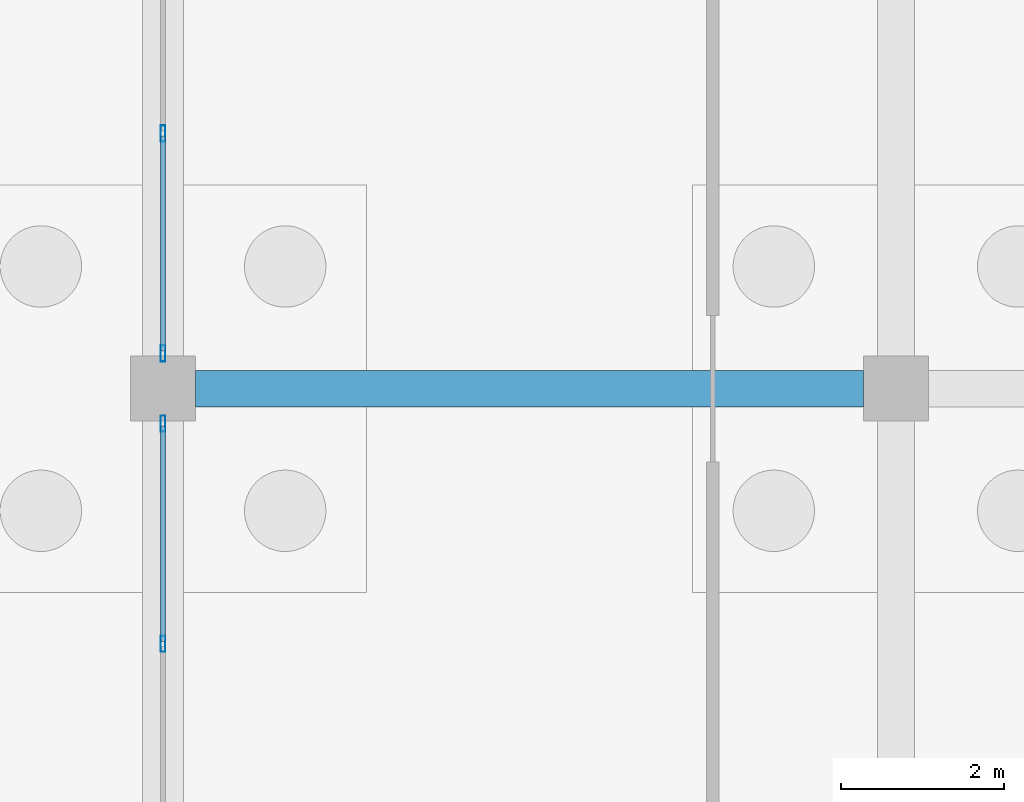
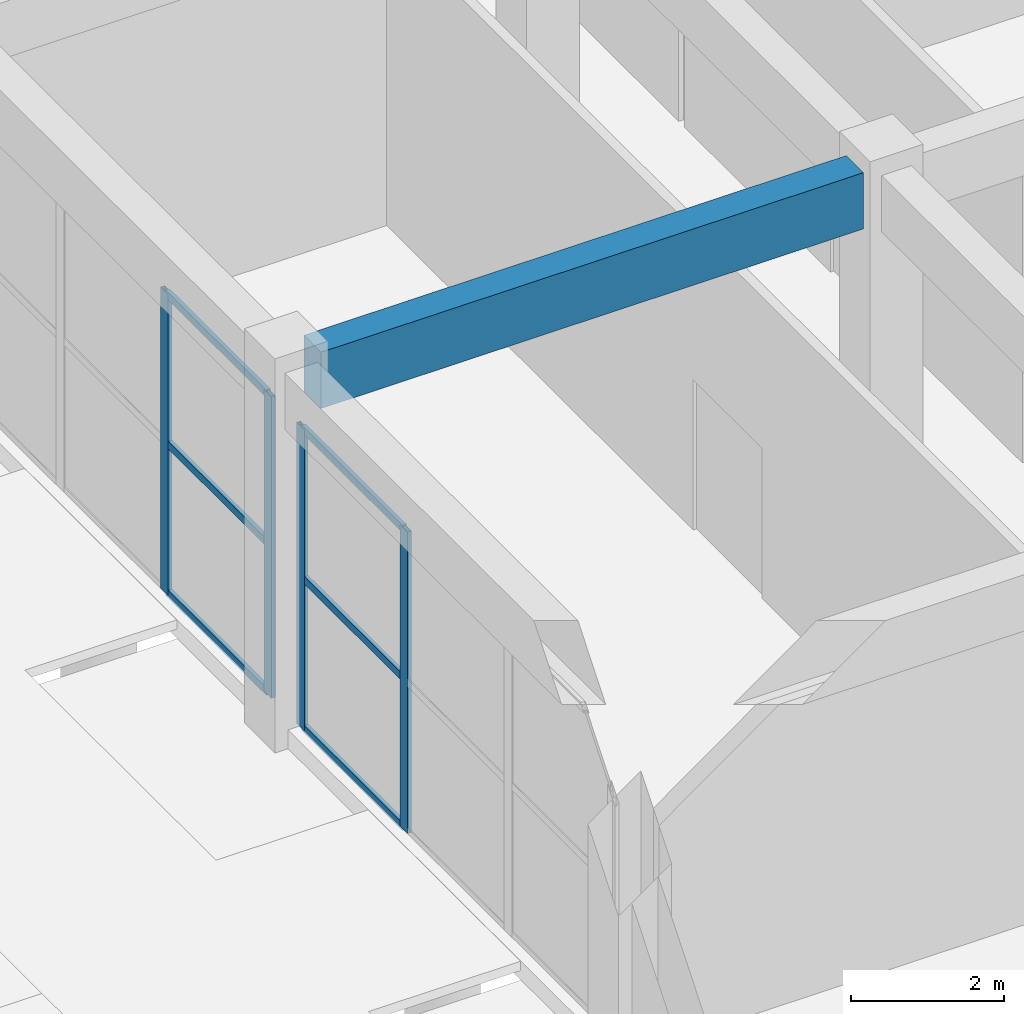
# One storey, part 60 of 198: 10 members, 1 beam, 2 elements without a shape of their own.
"""IFC4 building model written with IfcOpenShell, lengths in metres."""

import ifcopenshell
import ifcopenshell.guid

model = None  # the IFC model being written
_history = None  # IfcOwnerHistory: only IFC2X3 demands one
_inside = {}  # id of a spatial element -> (the spatial element, [elements in it])
_under = {}  # id of a project, library or spatial element -> (it, [spatial elements below it])
_declared = {}  # id of a project -> (the project, [libraries it declares])
_typed = {}  # id of a type object -> (the type object, [elements of that type])
_made_of = {}  # id of a material, layer set ... -> (it, [elements and type objects made of it])


def new_model(schema):
    """Start an empty IFC model of exactly this schema.

    Asked for "IFC4X3", IfcOpenShell would pick the latest addendum, in which some entities
    have other attributes; the version numbers below select the first issue.
    IFC2X3 requires an IfcOwnerHistory on every rooted entity: one is made here for all.
    """
    global model, _history
    if schema == "IFC4X3":
        model = ifcopenshell.file(schema_version=(4, 3, 0, 0))
    else:
        model = ifcopenshell.file(schema=schema)
    _inside.clear()
    _under.clear()
    _declared.clear()
    _typed.clear()
    _made_of.clear()
    _history = None
    if model.schema == "IFC2X3":
        org = make("IfcOrganization", Name="unknown")
        user = make(
            "IfcPersonAndOrganization",
            ThePerson=make("IfcPerson", FamilyName="unknown"),
            TheOrganization=org,
        )
        app = make(
            "IfcApplication",
            ApplicationDeveloper=org,
            Version="unknown",
            ApplicationFullName="unknown",
            ApplicationIdentifier="unknown",
        )
        _history = make(
            "IfcOwnerHistory",
            OwningUser=user,
            OwningApplication=app,
            ChangeAction="ADDED",
            CreationDate=0,
        )
    return model


def make(cls, **values):
    """One entity of the class cls with the attributes given. An attribute that is None is left unset."""
    return model.create_entity(
        cls, **{name: value for name, value in values.items() if value is not None}
    )


def rooted(cls, **values):
    """An entity with a GlobalId (a new one), such as an element, a storey or a relation."""
    return make(cls, GlobalId=ifcopenshell.guid.new(), OwnerHistory=_history, **values)


def si_unit(unit_type, name, prefix=None):
    """IfcSIUnit, for example si_unit("LENGTHUNIT", "METRE", prefix="MILLI")."""
    return make("IfcSIUnit", UnitType=unit_type, Prefix=prefix, Name=name)


def assignment(units):
    """IfcUnitAssignment: the units of a project."""
    return None if units is None else make("IfcUnitAssignment", Units=units)


def point(xyz):
    """IfcCartesianPoint."""
    return None if xyz is None else make("IfcCartesianPoint", Coordinates=xyz)


def direction(xyz):
    """IfcDirection."""
    return None if xyz is None else make("IfcDirection", DirectionRatios=xyz)


def frame(location, z_axis=None, x_axis=None):
    """IfcAxis2Placement3D, a coordinate frame: its origin and axes. An axis left out is left unset."""
    return make(
        "IfcAxis2Placement3D",
        Location=point(location),
        Axis=direction(z_axis),
        RefDirection=direction(x_axis),
    )


def frame_2d(location, x_axis=None):
    """IfcAxis2Placement2D, a coordinate frame in the plane: its origin and x axis."""
    return make(
        "IfcAxis2Placement2D", Location=point(location), RefDirection=direction(x_axis)
    )


def origin():
    """The frame at (0, 0, 0) with its axes left unset."""
    return frame((0.0, 0.0, 0.0))


def origin_2d():
    """The frame at (0, 0) in the plane with its x axis left unset."""
    return frame_2d((0.0, 0.0))


def place(relative_to, where):
    """IfcLocalPlacement: puts the frame where relative to a parent placement (None: the world)."""
    return make(
        "IfcLocalPlacement", PlacementRelTo=relative_to, RelativePlacement=where
    )


def context(
    kind, dimensions, precision=None, world=None, true_north=None, identifier=None
):
    """IfcGeometricRepresentationContext, for example the 3D "Model" context."""
    return make(
        "IfcGeometricRepresentationContext",
        ContextIdentifier=identifier,
        ContextType=kind,
        CoordinateSpaceDimension=dimensions,
        Precision=precision,
        WorldCoordinateSystem=world,
        TrueNorth=true_north,
    )


def subcontext(parent, identifier, kind, view, scale=None):
    """IfcGeometricRepresentationSubContext, for example "Body" below "Model"."""
    return make(
        "IfcGeometricRepresentationSubContext",
        ContextIdentifier=identifier,
        ContextType=kind,
        ParentContext=parent,
        TargetScale=scale,
        TargetView=view,
    )


def project(units=None, contexts=None):
    """IfcProject with its units and contexts."""
    return rooted(
        "IfcProject",
        Name="project",
        RepresentationContexts=contexts,
        UnitsInContext=assignment(units),
    )


def spatial(cls, under=None, at=None, **own):
    """A site, building, storey or space (cls), placed at a placement, below another one or the project."""
    s = rooted(cls, ObjectPlacement=at, **own)
    if under is not None:
        _under.setdefault(under.id(), (under, []))[1].append(s)
    return s


def profile(cls, at=None, kind="AREA", **sizes):
    """A parametric profile (cls). Its sizes go by their IFC names, for example OverallWidth=200.0."""
    return make(cls, ProfileType=kind, Position=at, **sizes)


def rectangle(**sizes):
    """IfcRectangleProfileDef."""
    return profile("IfcRectangleProfileDef", **sizes)


def hollow_rectangle(**sizes):
    """IfcRectangleHollowProfileDef."""
    return profile("IfcRectangleHollowProfileDef", **sizes)


def extrude(swept, where, along, depth):
    """IfcExtrudedAreaSolid: the profile swept, set in the frame where, extruded along a direction by depth."""
    return make(
        "IfcExtrudedAreaSolid",
        SweptArea=swept,
        Position=where,
        ExtrudedDirection=direction(along),
        Depth=depth,
    )


def shape(context_of_items, identifier, shape_type, items):
    """IfcShapeRepresentation: the items that make up one representation, for example the "Body"."""
    return make(
        "IfcShapeRepresentation",
        ContextOfItems=context_of_items,
        RepresentationIdentifier=identifier,
        RepresentationType=shape_type,
        Items=items,
    )


def material(Name=None, Category=None):
    """IfcMaterial."""
    return make("IfcMaterial", Name=Name, Category=Category)


def layer(
    of_material, thickness, ventilated=None, Name=None, Category=None, Priority=None
):
    """IfcMaterialLayer: one layer of a wall or slab, of a material (None: an air gap)."""
    return make(
        "IfcMaterialLayer",
        Material=of_material,
        LayerThickness=thickness,
        IsVentilated=ventilated,
        Name=Name,
        Category=Category,
        Priority=Priority,
    )


def layer_set(layers, Name=None):
    """IfcMaterialLayerSet."""
    return make("IfcMaterialLayerSet", MaterialLayers=layers, LayerSetName=Name)


def material_profile(
    of_material, cross_section, Name=None, Category=None, Priority=None
):
    """IfcMaterialProfile: a cross section and its material."""
    return make(
        "IfcMaterialProfile",
        Name=Name,
        Material=of_material,
        Profile=cross_section,
        Priority=Priority,
        Category=Category,
    )


def profile_set(profiles, Name=None, composite=None):
    """IfcMaterialProfileSet."""
    return make(
        "IfcMaterialProfileSet",
        Name=Name,
        MaterialProfiles=profiles,
        CompositeProfile=composite,
    )


def made_of(thing, what):
    """Note that an element or type object is made of a material, layer set ...; save() writes the relation."""
    if what is not None:
        _made_of.setdefault(what.id(), (what, []))[1].append(thing)
    return thing


def type_object(cls, material=None, **own):
    """A type object (cls), such as IfcWallType, which elements share."""
    return made_of(rooted(cls, **own), material)


def element(
    cls,
    number,
    at=None,
    inside=None,
    cuts=None,
    type_object=None,
    material=None,
    context=None,
    identifier="Body",
    shape_type=None,
    held_by="IfcProductDefinitionShape",
    body=None,
    shapes=None,
    **own,
):
    """One element of the class cls, such as IfcWall. Its Tag is "e" and its number.

    at: its placement. inside: the storey or other place that contains it. cuts: it is an
    opening in that element (IfcRelVoidsElement). A single representation is given by context,
    identifier, shape_type and body (its items); several are given by shapes. held_by: the class
    of the entity that holds the representations. save() writes the other relations.
    """
    e = rooted(cls, Tag="e%d" % number, ObjectPlacement=at, **own)
    if body is not None:
        shapes = [shape(context, identifier, shape_type, body)]
    if shapes is not None:
        e.Representation = make(held_by, Representations=shapes)
    if inside is not None:
        _inside.setdefault(inside.id(), (inside, []))[1].append(e)
    if cuts is not None:
        rooted(
            "IfcRelVoidsElement", RelatingBuildingElement=cuts, RelatedOpeningElement=e
        )
    if type_object is not None:
        _typed.setdefault(type_object.id(), (type_object, []))[1].append(e)
    return made_of(e, material)


def aggregate(whole, parts):
    """IfcRelAggregates: a whole, such as a stair, and the parts it consists of."""
    return rooted("IfcRelAggregates", RelatingObject=whole, RelatedObjects=parts)


def save(model, path):
    """Write the relations noted so far, then the file.

    IfcRelAggregates (storeys below a building ...), IfcRelContainedInSpatialStructure (elements
    in a storey), IfcRelDefinesByType, IfcRelAssociatesMaterial and IfcRelDeclares: one each for
    every whole, place, type object, material and project.
    """
    for whole, parts in _under.values():
        aggregate(whole, parts)
    for where, things in _inside.values():
        rooted(
            "IfcRelContainedInSpatialStructure",
            RelatedElements=things,
            RelatingStructure=where,
        )
    for kind, things in _typed.values():
        rooted("IfcRelDefinesByType", RelatedObjects=things, RelatingType=kind)
    for what, things in _made_of.values():
        rooted("IfcRelAssociatesMaterial", RelatedObjects=things, RelatingMaterial=what)
    for by, libraries in _declared.values():
        rooted("IfcRelDeclares", RelatingContext=by, RelatedDefinitions=libraries)
    model.write(path)


model = new_model("IFC4")

# Units and contexts
model_context = context("Model", 3, precision=1e-05, world=origin(), true_north=direction((0.0, 1.0)))
body_context = subcontext(model_context, "Body", "Model", "MODEL_VIEW")
ifc_project = project(units=[si_unit("LENGTHUNIT", "METRE"), si_unit("AREAUNIT", "SQUARE_METRE"), si_unit("VOLUMEUNIT", "CUBIC_METRE"), si_unit("PLANEANGLEUNIT", "RADIAN"), si_unit("MASSUNIT", "GRAM", prefix="KILO")], contexts=[model_context])

# Site, building, storey
site_placement = place(None, origin())
site = spatial("IfcSite", under=ifc_project, at=site_placement, CompositionType="ELEMENT")
building_placement = place(site_placement, origin())
building = spatial("IfcBuilding", under=site, at=building_placement, Name="Opaline Strait Convention Centre", CompositionType="ELEMENT")
storey_placement = place(building_placement, origin())
storey = spatial("IfcBuildingStorey", under=building, at=storey_placement, Name="L00", CompositionType="ELEMENT", Elevation=0.0)

# Curtain wall, members
ifc_material_1 = material(Name="Aluminium framed double glazing", Category="aluminium")
ifc_layer = layer(ifc_material_1, 0.199951171875)
ifc_layer_set = layer_set([ifc_layer], Name="Aluminium framed double glazing")
curtain_wall_type = type_object("IfcCurtainWallType", Name="Curtain wall 3000 module unitised", PredefinedType="NOTDEFINED", material=ifc_layer_set)
curtain_wall_1_placement = place(storey_placement, origin())
curtain_wall_1 = element("IfcCurtainWall", 1, at=curtain_wall_1_placement, inside=storey, type_object=curtain_wall_type, Name="Curtain wall W L00 32/R", PredefinedType="NOTDEFINED")
ifc_material_2 = material(Name="Aluminium alloy 6063", Category="aluminium")
ifc_material_profile_1 = material_profile(ifc_material_2, hollow_rectangle(XDim=0.06005859375, YDim=0.199951171875, WallThickness=0.00390625, at=origin_2d()), Name="MULLION 60x200x4")
ifc_profile_set_1 = profile_set([ifc_material_profile_1], Name="Aluminium alloy 6063")
member_type_1 = type_object("IfcMemberType", Name="Curtain wall mullion 60 x 200", PredefinedType="MULLION", material=ifc_profile_set_1)
member_1_placement = place(storey_placement, frame((279.0, 140.86669921875, 0.0), z_axis=(0.0, 0.0, 1.0), x_axis=(-1.0, 0.0, 0.0)))
member_1 = element("IfcMember", 2, at=member_1_placement, type_object=member_type_1, Name="MCWR1 mullion 3", PredefinedType="MULLION", context=body_context, shape_type="SweptSolid", body=[
    extrude(hollow_rectangle(XDim=0.06005859375, YDim=0.199951171875, WallThickness=0.00390625, at=origin_2d()), origin(), (0.0, 0.0, 1.0), 4.820068359375),
])
member_2_placement = place(storey_placement, frame((279.0, 143.570068359375, 0.0), z_axis=(0.0, 0.0, 1.0), x_axis=(-1.0, 0.0, 0.0)))
member_2 = element("IfcMember", 3, at=member_2_placement, type_object=member_type_1, Name="MCWR1 mullion 4", PredefinedType="MULLION", context=body_context, shape_type="SweptSolid", body=[
    extrude(hollow_rectangle(XDim=0.06005859375, YDim=0.199951171875, WallThickness=0.00390625, at=origin_2d()), origin(), (0.0, 0.0, 1.0), 4.820068359375),
])

curtain_wall_2_placement = place(storey_placement, origin())
curtain_wall_2 = element("IfcCurtainWall", 4, at=curtain_wall_2_placement, inside=storey, type_object=curtain_wall_type, Name="Curtain wall W L00 32/S", PredefinedType="NOTDEFINED")
member_3_placement = place(storey_placement, frame((279.0, 144.429931640625, 0.0), z_axis=(0.0, 0.0, 1.0), x_axis=(-1.0, 0.0, 0.0)))
member_3 = element("IfcMember", 5, at=member_3_placement, type_object=member_type_1, Name="MCWR1 mullion 1", PredefinedType="MULLION", context=body_context, shape_type="SweptSolid", body=[
    extrude(hollow_rectangle(XDim=0.06005859375, YDim=0.199951171875, WallThickness=0.00390625, at=origin_2d()), origin(), (0.0, 0.0, 1.0), 4.820068359375),
])
member_4_placement = place(storey_placement, frame((279.0, 147.13330078125, 0.0), z_axis=(0.0, 0.0, 1.0), x_axis=(-1.0, 0.0, 0.0)))
member_4 = element("IfcMember", 6, at=member_4_placement, type_object=member_type_1, Name="MCWR1 mullion 2", PredefinedType="MULLION", context=body_context, shape_type="SweptSolid", body=[
    extrude(hollow_rectangle(XDim=0.06005859375, YDim=0.199951171875, WallThickness=0.00390625, at=origin_2d()), origin(), (0.0, 0.0, 1.0), 4.820068359375),
])

# Member
ifc_material_profile_2 = material_profile(ifc_material_2, hollow_rectangle(XDim=0.06005859375, YDim=0.1201171875, WallThickness=0.0029296875, at=origin_2d()), Name="TRANSOM 60x120x3")
ifc_profile_set_2 = profile_set([ifc_material_profile_2], Name="Aluminium alloy 6063")
member_type_2 = type_object("IfcMemberType", Name="Curtain wall transom 60 x 120", PredefinedType="USERDEFINED", material=ifc_profile_set_2)
member_5_placement = place(storey_placement, frame((279.0, 140.896728515625, 0.030029296875), z_axis=(0.0, 1.0, 0.0), x_axis=(-1.0, 0.0, 0.0)))
member_5 = element("IfcMember", 7, at=member_5_placement, type_object=member_type_2, Name="MCWR1 transom 3.1", ObjectType="TRANSOM", PredefinedType="USERDEFINED", context=body_context, shape_type="SweptSolid", body=[
    extrude(hollow_rectangle(XDim=0.06005859375, YDim=0.1201171875, WallThickness=0.0029296875, at=origin_2d()), origin(), (0.0, 0.0, 1.0), 2.643310546875),
])

member_6_placement = place(storey_placement, frame((279.0, 140.896728515625, 2.409912109375), z_axis=(0.0, 1.0, 0.0), x_axis=(-1.0, 0.0, 0.0)))
member_6 = element("IfcMember", 8, at=member_6_placement, type_object=member_type_2, Name="MCWR1 transom 3.2", ObjectType="TRANSOM", PredefinedType="USERDEFINED", context=body_context, shape_type="SweptSolid", body=[
    extrude(hollow_rectangle(XDim=0.06005859375, YDim=0.1201171875, WallThickness=0.0029296875, at=origin_2d()), origin(), (0.0, 0.0, 1.0), 2.643310546875),
])

member_7_placement = place(storey_placement, frame((279.0, 140.896728515625, 4.7900390625), z_axis=(0.0, 1.0, 0.0), x_axis=(-1.0, 0.0, 0.0)))
member_7 = element("IfcMember", 9, at=member_7_placement, type_object=member_type_2, Name="MCWR1 transom 3.3", ObjectType="TRANSOM", PredefinedType="USERDEFINED", context=body_context, shape_type="SweptSolid", body=[
    extrude(hollow_rectangle(XDim=0.06005859375, YDim=0.1201171875, WallThickness=0.0029296875, at=origin_2d()), origin(), (0.0, 0.0, 1.0), 2.643310546875),
])

aggregate(curtain_wall_1, [member_1, member_2, member_5, member_6, member_7])

member_8_placement = place(storey_placement, frame((279.0, 144.4599609375, 0.030029296875), z_axis=(0.0, 1.0, 0.0), x_axis=(-1.0, 0.0, 0.0)))
member_8 = element("IfcMember", 10, at=member_8_placement, type_object=member_type_2, Name="MCWR1 transom 1.1", ObjectType="TRANSOM", PredefinedType="USERDEFINED", context=body_context, shape_type="SweptSolid", body=[
    extrude(hollow_rectangle(XDim=0.06005859375, YDim=0.1201171875, WallThickness=0.0029296875, at=origin_2d()), origin(), (0.0, 0.0, 1.0), 2.643310546875),
])

member_9_placement = place(storey_placement, frame((279.0, 144.4599609375, 2.409912109375), z_axis=(0.0, 1.0, 0.0), x_axis=(-1.0, 0.0, 0.0)))
member_9 = element("IfcMember", 11, at=member_9_placement, type_object=member_type_2, Name="MCWR1 transom 1.2", ObjectType="TRANSOM", PredefinedType="USERDEFINED", context=body_context, shape_type="SweptSolid", body=[
    extrude(hollow_rectangle(XDim=0.06005859375, YDim=0.1201171875, WallThickness=0.0029296875, at=origin_2d()), origin(), (0.0, 0.0, 1.0), 2.643310546875),
])

member_10_placement = place(storey_placement, frame((279.0, 144.4599609375, 4.7900390625), z_axis=(0.0, 1.0, 0.0), x_axis=(-1.0, 0.0, 0.0)))
member_10 = element("IfcMember", 12, at=member_10_placement, type_object=member_type_2, Name="MCWR1 transom 1.3", ObjectType="TRANSOM", PredefinedType="USERDEFINED", context=body_context, shape_type="SweptSolid", body=[
    extrude(hollow_rectangle(XDim=0.06005859375, YDim=0.1201171875, WallThickness=0.0029296875, at=origin_2d()), origin(), (0.0, 0.0, 1.0), 2.643310546875),
])

aggregate(curtain_wall_2, [member_3, member_4, member_8, member_9, member_10])

# Beam
ifc_material_3 = material(Name="Concrete C35", Category="concrete")
ifc_material_profile_3 = material_profile(ifc_material_3, rectangle(XDim=0.449951171875, YDim=0.89990234375, at=origin_2d()), Name="RC 450x900")
ifc_profile_set_3 = profile_set([ifc_material_profile_3], Name="Concrete C35")
beam_type = type_object("IfcBeamType", Name="RC beam 450x900 C35", PredefinedType="BEAM", material=ifc_profile_set_3)
beam_placement = place(storey_placement, frame((279.39990234375, 144.0, 5.27001953125), z_axis=(1.0, 0.0, 0.0), x_axis=(0.0, 1.0, 0.0)))
element("IfcBeam", 13, at=beam_placement, inside=storey, type_object=beam_type, Name="XB1 L00 32/S-33/S", PredefinedType="BEAM", context=body_context, shape_type="SweptSolid", body=[
    extrude(rectangle(XDim=0.449951171875, YDim=0.89990234375, at=origin_2d()), origin(), (0.0, 0.0, 1.0), 8.2001953125),
])

save(model, "model.ifc")
